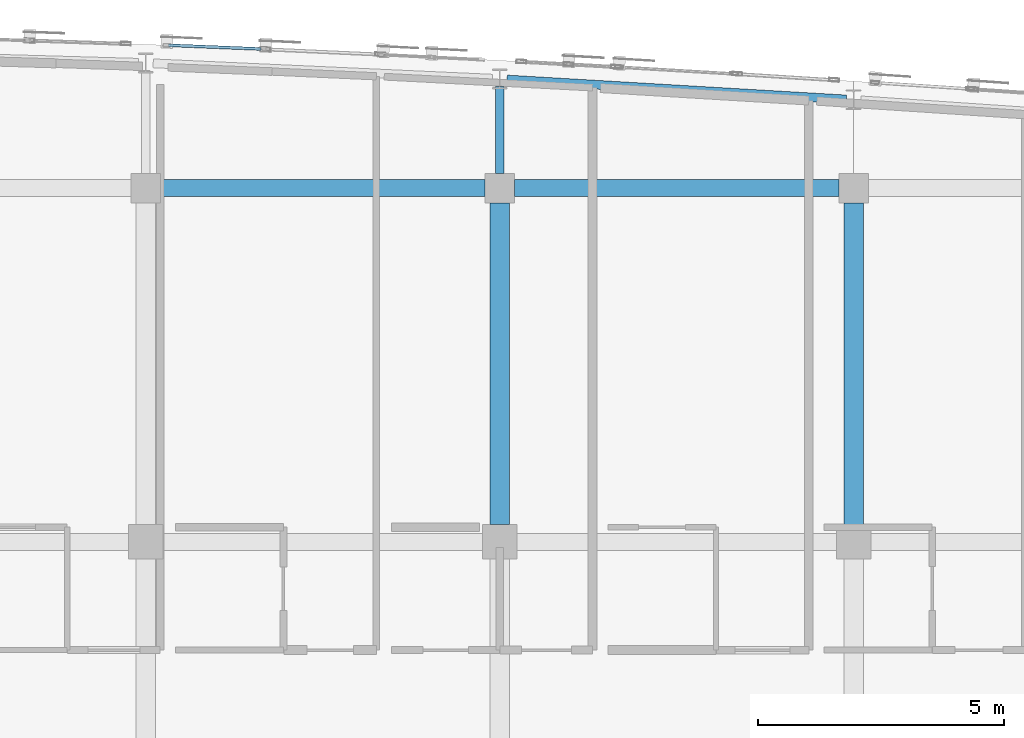
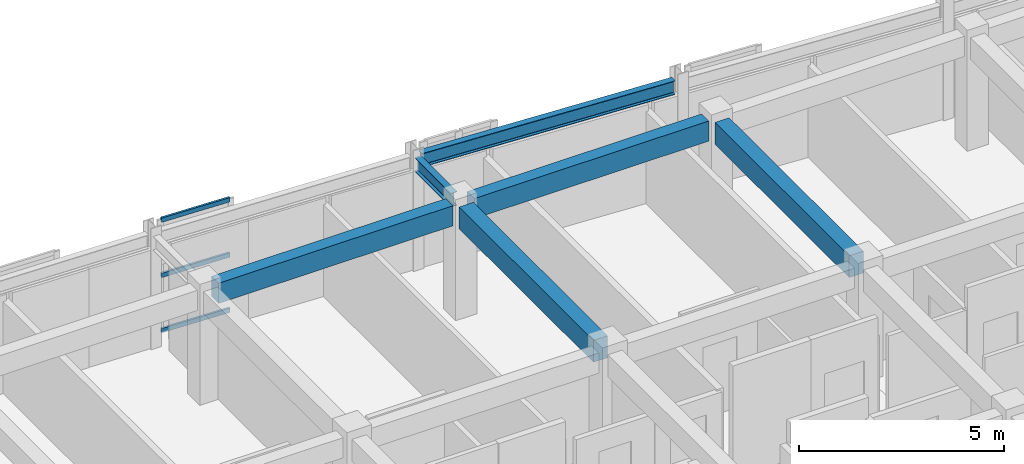
# One storey, part 20 of 48: 6 beams, 3 members, 1 element without a shape of its own.
"""IFC4 building model written with IfcOpenShell, lengths in metres."""

from ifc_helpers import new_model, si_unit, direction, frame, origin, origin_2d, place, context, subcontext, project, spatial, rectangle, hollow_rectangle, i_section, extrude, material, layer, layer_set, material_profile, profile_set, type_object, element, aggregate, save


model = new_model("IFC4")

# Units and contexts
model_context = context("Model", 3, precision=1e-05, world=origin(), true_north=direction((0.0, 1.0)))
body_context = subcontext(model_context, "Body", "Model", "MODEL_VIEW")
ifc_project = project(units=[si_unit("LENGTHUNIT", "METRE"), si_unit("AREAUNIT", "SQUARE_METRE"), si_unit("VOLUMEUNIT", "CUBIC_METRE"), si_unit("PLANEANGLEUNIT", "RADIAN"), si_unit("MASSUNIT", "GRAM", prefix="KILO")], contexts=[model_context])

# Site, building, storey
site_placement = place(None, origin())
site = spatial("IfcSite", under=ifc_project, at=site_placement, CompositionType="ELEMENT")
building_placement = place(site_placement, origin())
building = spatial("IfcBuilding", under=site, at=building_placement, Name="Carrowvane Square Congress Hotel", CompositionType="ELEMENT")
storey_placement = place(building_placement, frame((0.0, 0.0, 26.39990234375)))
storey = spatial("IfcBuildingStorey", under=building, at=storey_placement, Name="L06", CompositionType="ELEMENT", Elevation=26.39990234375)

# Beams
ifc_material_1 = material(Name="Concrete C35/45", Category="concrete")
ifc_material_profile_1 = material_profile(ifc_material_1, rectangle(XDim=0.35009765625, YDim=0.60009765625, at=origin_2d()), Name="RC 350x600")
ifc_profile_set_1 = profile_set([ifc_material_profile_1], Name="Concrete C35/45")
beam_type_1 = type_object("IfcBeamType", Name="BM-RC-350x600", PredefinedType="BEAM", material=ifc_profile_set_1)
for number, where, z_axis, x_axis, name in (
    (1, (112.699951171875, 113.39990234375, 3.050048828125), (1.0, 0.0, 0.0), (0.0, 1.0, 0.0), "L07 girder R/15-16"),
    (2, (119.89990234375, 113.39990234375, 3.050048828125), (1.0, 0.0, 0.0), (0.0, 1.0, 0.0), "L07 girder R/16-17"),
):
    element("IfcBeam", number, at=place(storey_placement, frame(where, z_axis=z_axis, x_axis=x_axis)), inside=storey, type_object=beam_type_1, Name=name, PredefinedType="BEAM", context=body_context, shape_type="SweptSolid", body=[
        extrude(rectangle(XDim=0.35009765625, YDim=0.60009765625, at=origin_2d()), origin(), (0.0, 0.0, 1.0), 6.60009765625),
    ])
ifc_material_2 = material(Name="Concrete C35/45", Category="concrete")
ifc_material_profile_2 = material_profile(ifc_material_2, rectangle(XDim=0.39990234375, YDim=0.64990234375, at=origin_2d()), Name="RC 400x650")
ifc_profile_set_2 = profile_set([ifc_material_profile_2], Name="Concrete C35/45")
beam_type_2 = type_object("IfcBeamType", Name="BM-RC-400x650", PredefinedType="BEAM", material=ifc_profile_set_2)
for number, where, z_axis, x_axis, name in (
    (3, (119.60009765625, 106.550048828125, 3.025146484375), (0.0, 1.0, 0.0), (-1.0, 0.0, 0.0), "L07 girder 16/Q-R"),
    (4, (126.800048828125, 106.550048828125, 3.025146484375), (0.0, 1.0, 0.0), (-1.0, 0.0, 0.0), "L07 girder 17/Q-R"),
):
    element("IfcBeam", number, at=place(storey_placement, frame(where, z_axis=z_axis, x_axis=x_axis)), inside=storey, type_object=beam_type_2, Name=name, PredefinedType="BEAM", context=body_context, shape_type="SweptSolid", body=[
        extrude(rectangle(XDim=0.39990234375, YDim=0.64990234375, at=origin_2d()), origin(), (0.0, 0.0, 1.0), 6.550048828125),
    ])
ifc_material_3 = material(Name="Steel S355", Category="steel")
ifc_material_profile_3 = material_profile(ifc_material_3, i_section(OverallWidth=0.1787109375, OverallDepth=0.409423828125, WebThickness=0.0087890625, FlangeThickness=0.014404296875, FilletRadius=0.01025390625, at=origin_2d()), Name="UKB 406x178x67")
ifc_profile_set_3 = profile_set([ifc_material_profile_3], Name="Steel S355")
beam_type_3 = type_object("IfcBeamType", Name="BM-ST-UKB406", PredefinedType="BEAM", material=ifc_profile_set_3)
beam_1_placement = place(storey_placement, frame((119.749755859375, 115.60888671875, 3.1455078125), z_axis=(0.99827559088, -0.058701317296, 0.0), x_axis=(0.058701317296, 0.99827559088, 0.0)))
element("IfcBeam", 5, at=beam_1_placement, inside=storey, type_object=beam_type_3, Name="L07 curved north spandrel", PredefinedType="BEAM", context=body_context, shape_type="SweptSolid", body=[
    extrude(i_section(OverallWidth=0.1787109375, OverallDepth=0.409423828125, WebThickness=0.0087890625, FlangeThickness=0.014404296875, FilletRadius=0.01025390625, at=origin_2d()), origin(), (0.0, 0.0, 1.0), 6.912353515625),
])
beam_2_placement = place(storey_placement, frame((119.60009765625, 113.699951171875, 3.1455078125), z_axis=(0.0, 1.0, 0.0), x_axis=(-1.0, 0.0, 0.0)))
element("IfcBeam", 6, at=beam_2_placement, inside=storey, type_object=beam_type_3, Name="L07 radial north beam 16", PredefinedType="BEAM", context=body_context, shape_type="SweptSolid", body=[
    extrude(i_section(OverallWidth=0.1787109375, OverallDepth=0.409423828125, WebThickness=0.0087890625, FlangeThickness=0.014404296875, FilletRadius=0.01025390625, at=origin_2d()), origin(), (0.0, 0.0, 1.0), 1.767578125),
])

# Curtain wall, members
ifc_material_4 = material(Name="Anodised aluminium", Category="aluminium")
ifc_layer = layer(ifc_material_4, 0.2099609375)
ifc_layer_set = layer_set([ifc_layer], Name="Anodised aluminium")
curtain_wall_type = type_object("IfcCurtainWallType", Name="CW-SYS-5", PredefinedType="NOTDEFINED", material=ifc_layer_set)
curtain_wall_placement = place(storey_placement, origin())
curtain_wall = element("IfcCurtainWall", 7, at=curtain_wall_placement, inside=storey, type_object=curtain_wall_type, Name="L06 unitised curtain wall 388", PredefinedType="NOTDEFINED")
ifc_material_5 = material(Name="Anodised aluminium", Category="aluminium")
ifc_material_profile_4 = material_profile(ifc_material_5, hollow_rectangle(XDim=0.06005859375, YDim=0.1298828125, WallThickness=0.00390625, at=origin_2d()), Name="CW-TR 60x130x4")
ifc_profile_set_4 = profile_set([ifc_material_profile_4], Name="Anodised aluminium")
member_type = type_object("IfcMemberType", Name="CW-TRN-1", PredefinedType="USERDEFINED", material=ifc_profile_set_4)
member_1_placement = place(storey_placement, frame((112.85888671875, 116.3056640625, 0.030029296875), z_axis=(0.999191609431, -0.040201090061, 0.0), x_axis=(0.040201090061, 0.999191609431, 0.0)))
member_1 = element("IfcMember", 8, at=member_1_placement, type_object=member_type, Name="CW-5 transom 1.1", ObjectType="TRANSOM", PredefinedType="USERDEFINED", context=body_context, shape_type="SweptSolid", body=[
    extrude(hollow_rectangle(XDim=0.06005859375, YDim=0.1298828125, WallThickness=0.00390625, at=origin_2d()), origin(), (0.0, 0.0, 1.0), 1.882568359375),
])
member_2_placement = place(storey_placement, frame((112.85888671875, 116.3056640625, 1.675048828125), z_axis=(0.999191609431, -0.040201090061, 0.0), x_axis=(0.040201090061, 0.999191609431, 0.0)))
member_2 = element("IfcMember", 9, at=member_2_placement, type_object=member_type, Name="CW-5 transom 1.2", ObjectType="TRANSOM", PredefinedType="USERDEFINED", context=body_context, shape_type="SweptSolid", body=[
    extrude(hollow_rectangle(XDim=0.06005859375, YDim=0.1298828125, WallThickness=0.00390625, at=origin_2d()), origin(), (0.0, 0.0, 1.0), 1.882568359375),
])
member_3_placement = place(storey_placement, frame((112.85888671875, 116.3056640625, 3.320068359375), z_axis=(0.999191609431, -0.040201090061, 0.0), x_axis=(0.040201090061, 0.999191609431, 0.0)))
member_3 = element("IfcMember", 10, at=member_3_placement, type_object=member_type, Name="CW-5 transom 1.3", ObjectType="TRANSOM", PredefinedType="USERDEFINED", context=body_context, shape_type="SweptSolid", body=[
    extrude(hollow_rectangle(XDim=0.06005859375, YDim=0.1298828125, WallThickness=0.00390625, at=origin_2d()), origin(), (0.0, 0.0, 1.0), 1.882568359375),
])
aggregate(curtain_wall, [member_1, member_2, member_3])

save(model, "model.ifc")
